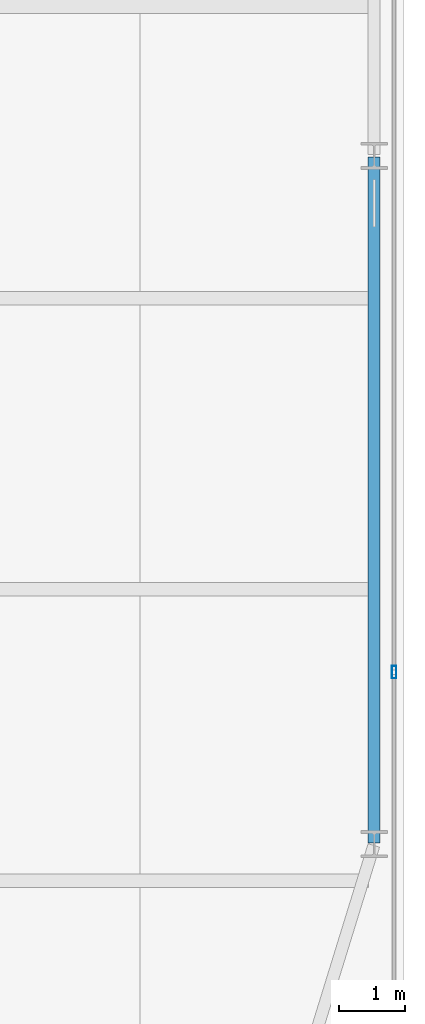
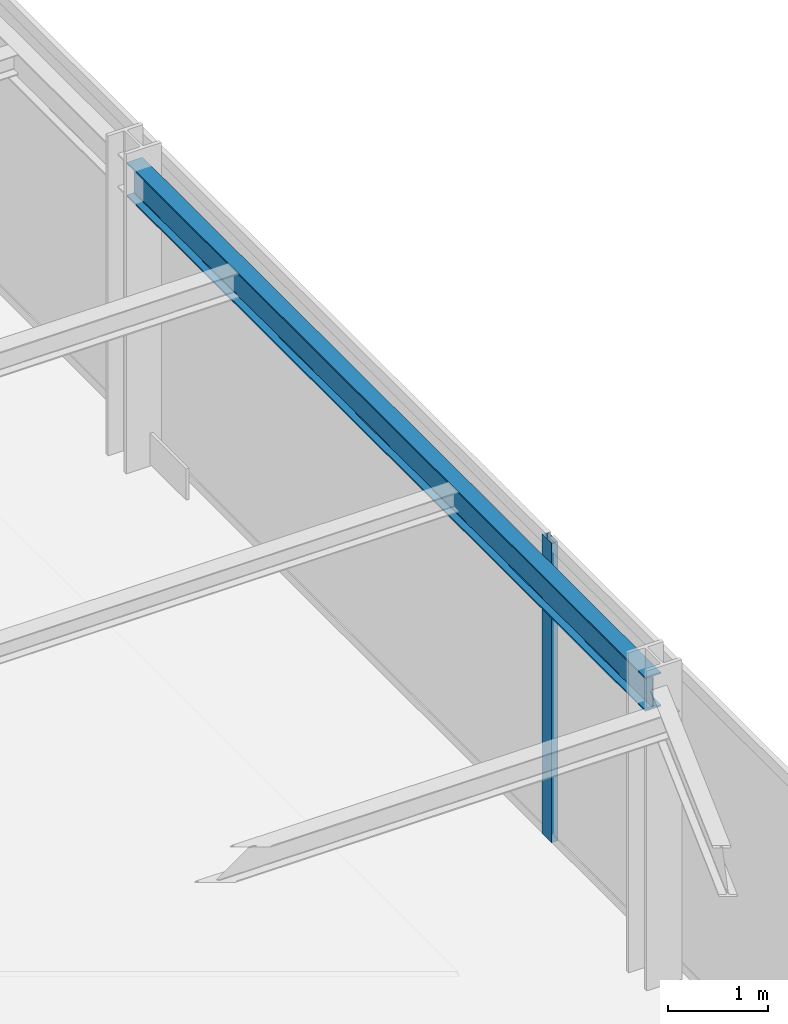
# One storey, part 16 of 31: 1 beam, 1 member, 1 element without a shape of its own.
"""IFC4 building model written with IfcOpenShell, lengths in metres."""

from ifc_helpers import new_model, si_unit, direction, frame, origin, origin_2d, place, context, subcontext, project, spatial, hollow_rectangle, i_section, extrude, source, transform, mapped, material, layer, layer_set, material_profile, profile_set, type_object, type_shapes, element, aggregate, save


model = new_model("IFC4")

# Units and contexts
model_context = context("Model", 3, precision=1e-05, world=origin(), true_north=direction((0.0, 1.0)))
body_context = subcontext(model_context, "Body", "Model", "MODEL_VIEW")
ifc_project = project(units=[si_unit("LENGTHUNIT", "METRE"), si_unit("AREAUNIT", "SQUARE_METRE"), si_unit("VOLUMEUNIT", "CUBIC_METRE"), si_unit("PLANEANGLEUNIT", "RADIAN"), si_unit("MASSUNIT", "GRAM", prefix="KILO")], contexts=[model_context])

# Site, building, storey
site_placement = place(None, origin())
site = spatial("IfcSite", under=ifc_project, at=site_placement, CompositionType="ELEMENT")
building_placement = place(site_placement, origin())
building = spatial("IfcBuilding", under=site, at=building_placement, Name="Varnel Quay Broadcast Tower", CompositionType="ELEMENT")
storey_placement = place(building_placement, frame((0.0, 0.0, 35.39990234375)))
storey = spatial("IfcBuildingStorey", under=building, at=storey_placement, Name="L07", CompositionType="ELEMENT", Elevation=35.39990234375)

# Beam
ifc_material_1 = material(Name="Structural Steel CSA G40.21 350W", Category="steel")
ifc_material_profile_1 = material_profile(ifc_material_1, i_section(OverallWidth=0.180908203125, OverallDepth=0.4169921875, WebThickness=0.010986328125, FlangeThickness=0.018310546875, FilletRadius=0.011962890625, at=origin_2d()), Name="W410X85")
ifc_profile_set_1 = profile_set([ifc_material_profile_1], Name="Structural Steel CSA G40.21 350W")
beam_type = type_object("IfcBeamType", Name="Beam_W410X85", PredefinedType="SPANDREL", material=ifc_profile_set_1)
shared_shape_1 = source(origin(), body_context, "Body", "SweptSolid", [
    extrude(i_section(OverallWidth=0.180908203125, OverallDepth=0.4169921875, WebThickness=0.010986328125, FlangeThickness=0.018310546875, FilletRadius=0.011962890625, at=origin_2d()), origin(), (0.0, 0.0, 1.0), 10.35986328125),
])
type_shapes(beam_type, [shared_shape_1])
beam_placement = place(storey_placement, frame((65.550048828125, 15.02001953125, 3.441650390625), z_axis=(0.0, 1.0, 0.0), x_axis=(-1.0, 0.0, 0.0)))
element("IfcBeam", 1, at=beam_placement, inside=storey, type_object=beam_type, Name="L07 East Spandrel TC-E1-TC-E2", PredefinedType="SPANDREL", context=body_context, shape_type="MappedRepresentation", body=[
    mapped(shared_shape_1, transform((0.0, 0.0, 0.0), x_axis=(1.0, 0.0, 0.0), y_axis=(0.0, 1.0, 0.0), z_axis=(0.0, 0.0, 1.0), scale=1.0)),
])

# Curtain wall, member
ifc_material_2 = material(Name="Anodised Bronze Aluminium 6063-T6", Category="aluminium")
ifc_layer = layer(ifc_material_2, 0.18994140625, Name="Anodised Bronze Aluminium 6063-T6")
ifc_layer_set = layer_set([ifc_layer], Name="Anodised Bronze Aluminium 6063-T6")
curtain_wall_type = type_object("IfcCurtainWallType", Name="CW_LowerTower", PredefinedType="NOTDEFINED", material=ifc_layer_set)
curtain_wall_placement = place(storey_placement, origin())
curtain_wall = element("IfcCurtainWall", 2, at=curtain_wall_placement, inside=storey, type_object=curtain_wall_type, Name="L07 East Unitised Curtain Wall", PredefinedType="NOTDEFINED")
ifc_material_profile_2 = material_profile(ifc_material_2, hollow_rectangle(XDim=0.070068359375, YDim=0.18994140625, WallThickness=0.00390625, at=origin_2d()), Name="ALU70X190X4")
ifc_profile_set_2 = profile_set([ifc_material_profile_2], Name="Anodised Bronze Aluminium 6063-T6")
member_type = type_object("IfcMemberType", Name="Mull_CWS-02", PredefinedType="MULLION", material=ifc_profile_set_2)
shared_shape_2 = source(origin(), body_context, "Body", "SweptSolid", [
    extrude(hollow_rectangle(XDim=0.070068359375, YDim=0.18994140625, WallThickness=0.00390625, at=origin_2d()), origin(), (0.0, 0.0, 1.0), 3.650146484375),
])
type_shapes(member_type, [shared_shape_2])
member_placement = place(storey_placement, frame((65.85009765625, 17.60009765625, 0.0), z_axis=(0.0, 0.0, 1.0), x_axis=(-1.0, 0.0, 0.0)))
member = element("IfcMember", 3, at=member_placement, type_object=member_type, Name="CWS-02 mullion 2", PredefinedType="MULLION", context=body_context, shape_type="MappedRepresentation", body=[
    mapped(shared_shape_2, transform((0.0, 0.0, 0.0), x_axis=(1.0, 0.0, 0.0), y_axis=(0.0, 1.0, 0.0), z_axis=(0.0, 0.0, 1.0), scale=1.0)),
])
aggregate(curtain_wall, [member])

save(model, "model.ifc")
